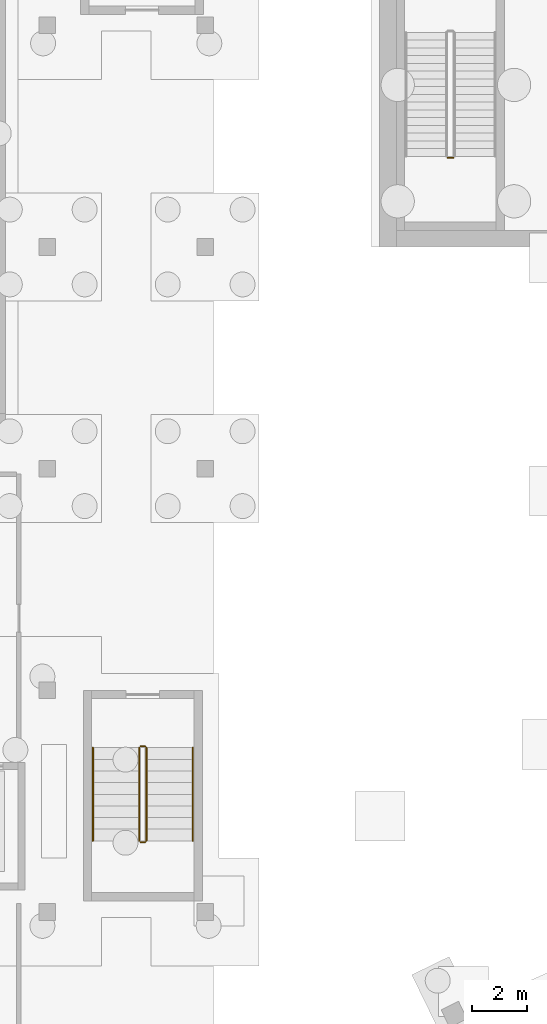
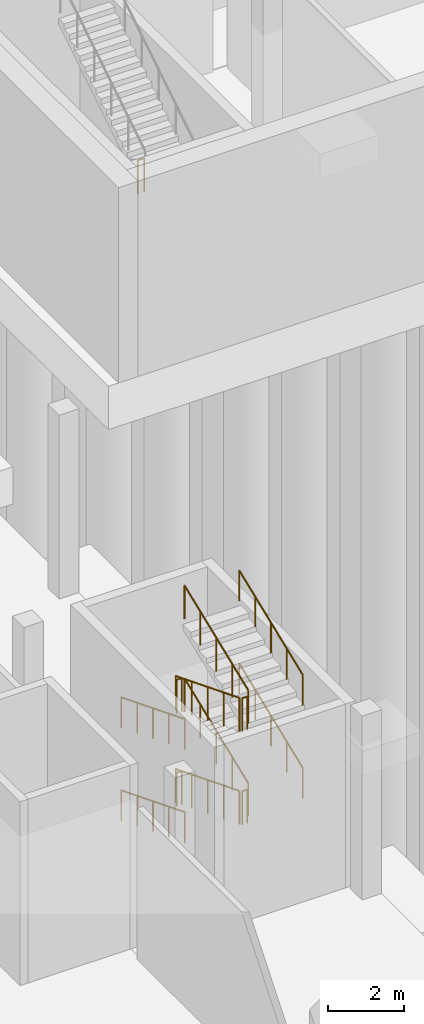
# One storey, part 45 of 66: 13 railings.
"""IFC4 building model written with IfcOpenShell, lengths in metres."""

import ifcopenshell
import ifcopenshell.guid

model = None  # the IFC model being written
_history = None  # IfcOwnerHistory: only IFC2X3 demands one
_inside = {}  # id of a spatial element -> (the spatial element, [elements in it])
_under = {}  # id of a project, library or spatial element -> (it, [spatial elements below it])
_declared = {}  # id of a project -> (the project, [libraries it declares])
_typed = {}  # id of a type object -> (the type object, [elements of that type])
_made_of = {}  # id of a material, layer set ... -> (it, [elements and type objects made of it])


def new_model(schema):
    """Start an empty IFC model of exactly this schema.

    Asked for "IFC4X3", IfcOpenShell would pick the latest addendum, in which some entities
    have other attributes; the version numbers below select the first issue.
    IFC2X3 requires an IfcOwnerHistory on every rooted entity: one is made here for all.
    """
    global model, _history
    if schema == "IFC4X3":
        model = ifcopenshell.file(schema_version=(4, 3, 0, 0))
    else:
        model = ifcopenshell.file(schema=schema)
    _inside.clear()
    _under.clear()
    _declared.clear()
    _typed.clear()
    _made_of.clear()
    _history = None
    if model.schema == "IFC2X3":
        org = make("IfcOrganization", Name="unknown")
        user = make(
            "IfcPersonAndOrganization",
            ThePerson=make("IfcPerson", FamilyName="unknown"),
            TheOrganization=org,
        )
        app = make(
            "IfcApplication",
            ApplicationDeveloper=org,
            Version="unknown",
            ApplicationFullName="unknown",
            ApplicationIdentifier="unknown",
        )
        _history = make(
            "IfcOwnerHistory",
            OwningUser=user,
            OwningApplication=app,
            ChangeAction="ADDED",
            CreationDate=0,
        )
    return model


def make(cls, **values):
    """One entity of the class cls with the attributes given. An attribute that is None is left unset."""
    return model.create_entity(
        cls, **{name: value for name, value in values.items() if value is not None}
    )


def rooted(cls, **values):
    """An entity with a GlobalId (a new one), such as an element, a storey or a relation."""
    return make(cls, GlobalId=ifcopenshell.guid.new(), OwnerHistory=_history, **values)


def si_unit(unit_type, name, prefix=None):
    """IfcSIUnit, for example si_unit("LENGTHUNIT", "METRE", prefix="MILLI")."""
    return make("IfcSIUnit", UnitType=unit_type, Prefix=prefix, Name=name)


def assignment(units):
    """IfcUnitAssignment: the units of a project."""
    return None if units is None else make("IfcUnitAssignment", Units=units)


def point(xyz):
    """IfcCartesianPoint."""
    return None if xyz is None else make("IfcCartesianPoint", Coordinates=xyz)


def direction(xyz):
    """IfcDirection."""
    return None if xyz is None else make("IfcDirection", DirectionRatios=xyz)


def frame(location, z_axis=None, x_axis=None):
    """IfcAxis2Placement3D, a coordinate frame: its origin and axes. An axis left out is left unset."""
    return make(
        "IfcAxis2Placement3D",
        Location=point(location),
        Axis=direction(z_axis),
        RefDirection=direction(x_axis),
    )


def frame_2d(location, x_axis=None):
    """IfcAxis2Placement2D, a coordinate frame in the plane: its origin and x axis."""
    return make(
        "IfcAxis2Placement2D", Location=point(location), RefDirection=direction(x_axis)
    )


def origin():
    """The frame at (0, 0, 0) with its axes left unset."""
    return frame((0.0, 0.0, 0.0))


def origin_2d():
    """The frame at (0, 0) in the plane with its x axis left unset."""
    return frame_2d((0.0, 0.0))


def place(relative_to, where):
    """IfcLocalPlacement: puts the frame where relative to a parent placement (None: the world)."""
    return make(
        "IfcLocalPlacement", PlacementRelTo=relative_to, RelativePlacement=where
    )


def context(
    kind, dimensions, precision=None, world=None, true_north=None, identifier=None
):
    """IfcGeometricRepresentationContext, for example the 3D "Model" context."""
    return make(
        "IfcGeometricRepresentationContext",
        ContextIdentifier=identifier,
        ContextType=kind,
        CoordinateSpaceDimension=dimensions,
        Precision=precision,
        WorldCoordinateSystem=world,
        TrueNorth=true_north,
    )


def subcontext(parent, identifier, kind, view, scale=None):
    """IfcGeometricRepresentationSubContext, for example "Body" below "Model"."""
    return make(
        "IfcGeometricRepresentationSubContext",
        ContextIdentifier=identifier,
        ContextType=kind,
        ParentContext=parent,
        TargetScale=scale,
        TargetView=view,
    )


def project(units=None, contexts=None):
    """IfcProject with its units and contexts."""
    return rooted(
        "IfcProject",
        Name="project",
        RepresentationContexts=contexts,
        UnitsInContext=assignment(units),
    )


def spatial(cls, under=None, at=None, **own):
    """A site, building, storey or space (cls), placed at a placement, below another one or the project."""
    s = rooted(cls, ObjectPlacement=at, **own)
    if under is not None:
        _under.setdefault(under.id(), (under, []))[1].append(s)
    return s


def profile(cls, at=None, kind="AREA", **sizes):
    """A parametric profile (cls). Its sizes go by their IFC names, for example OverallWidth=200.0."""
    return make(cls, ProfileType=kind, Position=at, **sizes)


def circle(**sizes):
    """IfcCircleProfileDef."""
    return profile("IfcCircleProfileDef", **sizes)


def extrude(swept, where, along, depth):
    """IfcExtrudedAreaSolid: the profile swept, set in the frame where, extruded along a direction by depth."""
    return make(
        "IfcExtrudedAreaSolid",
        SweptArea=swept,
        Position=where,
        ExtrudedDirection=direction(along),
        Depth=depth,
    )


def shape(context_of_items, identifier, shape_type, items):
    """IfcShapeRepresentation: the items that make up one representation, for example the "Body"."""
    return make(
        "IfcShapeRepresentation",
        ContextOfItems=context_of_items,
        RepresentationIdentifier=identifier,
        RepresentationType=shape_type,
        Items=items,
    )


def material(Name=None, Category=None):
    """IfcMaterial."""
    return make("IfcMaterial", Name=Name, Category=Category)


def made_of(thing, what):
    """Note that an element or type object is made of a material, layer set ...; save() writes the relation."""
    if what is not None:
        _made_of.setdefault(what.id(), (what, []))[1].append(thing)
    return thing


def type_object(cls, material=None, **own):
    """A type object (cls), such as IfcWallType, which elements share."""
    return made_of(rooted(cls, **own), material)


def element(
    cls,
    number,
    at=None,
    inside=None,
    cuts=None,
    type_object=None,
    material=None,
    context=None,
    identifier="Body",
    shape_type=None,
    held_by="IfcProductDefinitionShape",
    body=None,
    shapes=None,
    **own,
):
    """One element of the class cls, such as IfcWall. Its Tag is "e" and its number.

    at: its placement. inside: the storey or other place that contains it. cuts: it is an
    opening in that element (IfcRelVoidsElement). A single representation is given by context,
    identifier, shape_type and body (its items); several are given by shapes. held_by: the class
    of the entity that holds the representations. save() writes the other relations.
    """
    e = rooted(cls, Tag="e%d" % number, ObjectPlacement=at, **own)
    if body is not None:
        shapes = [shape(context, identifier, shape_type, body)]
    if shapes is not None:
        e.Representation = make(held_by, Representations=shapes)
    if inside is not None:
        _inside.setdefault(inside.id(), (inside, []))[1].append(e)
    if cuts is not None:
        rooted(
            "IfcRelVoidsElement", RelatingBuildingElement=cuts, RelatedOpeningElement=e
        )
    if type_object is not None:
        _typed.setdefault(type_object.id(), (type_object, []))[1].append(e)
    return made_of(e, material)


def aggregate(whole, parts):
    """IfcRelAggregates: a whole, such as a stair, and the parts it consists of."""
    return rooted("IfcRelAggregates", RelatingObject=whole, RelatedObjects=parts)


def save(model, path):
    """Write the relations noted so far, then the file.

    IfcRelAggregates (storeys below a building ...), IfcRelContainedInSpatialStructure (elements
    in a storey), IfcRelDefinesByType, IfcRelAssociatesMaterial and IfcRelDeclares: one each for
    every whole, place, type object, material and project.
    """
    for whole, parts in _under.values():
        aggregate(whole, parts)
    for where, things in _inside.values():
        rooted(
            "IfcRelContainedInSpatialStructure",
            RelatedElements=things,
            RelatingStructure=where,
        )
    for kind, things in _typed.values():
        rooted("IfcRelDefinesByType", RelatedObjects=things, RelatingType=kind)
    for what, things in _made_of.values():
        rooted("IfcRelAssociatesMaterial", RelatedObjects=things, RelatingMaterial=what)
    for by, libraries in _declared.values():
        rooted("IfcRelDeclares", RelatingContext=by, RelatedDefinitions=libraries)
    model.write(path)


model = new_model("IFC4")

# Units and contexts
model_context = context("Model", 3, precision=1e-05, world=origin(), true_north=direction((0.0, 1.0)))
body_context = subcontext(model_context, "Body", "Model", "MODEL_VIEW")
ifc_project = project(units=[si_unit("LENGTHUNIT", "METRE"), si_unit("AREAUNIT", "SQUARE_METRE"), si_unit("VOLUMEUNIT", "CUBIC_METRE"), si_unit("PLANEANGLEUNIT", "RADIAN"), si_unit("MASSUNIT", "GRAM", prefix="KILO")], contexts=[model_context])

# Site, building, storey
site_placement = place(None, origin())
site = spatial("IfcSite", under=ifc_project, at=site_placement, CompositionType="ELEMENT")
building_placement = place(site_placement, origin())
building = spatial("IfcBuilding", under=site, at=building_placement, Name="Lunette Opera House", CompositionType="ELEMENT")
storey_placement = place(building_placement, frame((0.0, 0.0, -6.0)))
storey = spatial("IfcBuildingStorey", under=building, at=storey_placement, Name="B1", CompositionType="ELEMENT", Elevation=-6.0)

# Railings
ifc_material_1 = material(Name="Steel S355", Category="steel")
railing_type_1 = type_object("IfcRailingType", Name="STAIR GUARD 1100", PredefinedType="GUARDRAIL", material=ifc_material_1)
railing_1_placement = place(storey_placement, frame((62.449951171875, 99.219970703125, 3.0)))
element("IfcRailing", 1, at=railing_1_placement, inside=storey, type_object=railing_type_1, Name="B1 ST13 stair guard 2", PredefinedType="GUARDRAIL", context=body_context, shape_type="SweptSolid", body=[
    extrude(circle(Radius=0.02392578125, at=origin_2d()), frame((0.0, 0.0, 1.076171875), z_axis=(1.0, 0.0, 0.0), x_axis=(0.0, 1.0, 0.0)), (0.0, 0.0, 1.0), 0.199951171875),
    extrude(circle(Radius=0.02099609375, at=origin_2d()), origin(), (0.0, 0.0, 1.0), 1.052001953125),
    extrude(circle(Radius=0.02099609375, at=origin_2d()), frame((0.199951171875, 0.0, 0.0)), (0.0, 0.0, 1.0), 1.052001953125),
])
railing_2_placement = place(storey_placement, frame((51.320068359375, 77.929931640625, 0.166748046875)))
element("IfcRailing", 2, at=railing_2_placement, inside=storey, type_object=railing_type_1, Name="B1 ST16 stair guard 1", PredefinedType="GUARDRAIL", context=body_context, shape_type="SweptSolid", body=[
    extrude(circle(Radius=0.02392578125, at=origin_2d()), frame((0.0, 0.0, 1.076171875), z_axis=(0.0, -0.929493283981, 0.368839036755), x_axis=(1.0, 0.0, 0.0)), (0.0, 0.0, 1.0), 3.61474609375),
    extrude(circle(Radius=0.02099609375, at=origin_2d()), origin(), (0.0, 0.0, 1.0), 1.052001953125),
    extrude(circle(Radius=0.02099609375, at=origin_2d()), frame((0.0, -0.83984375, 0.333251953125)), (0.0, 0.0, 1.0), 1.052001953125),
    extrude(circle(Radius=0.02099609375, at=origin_2d()), frame((0.0, -1.679931640625, 0.66650390625)), (0.0, 0.0, 1.0), 1.052001953125),
    extrude(circle(Radius=0.02099609375, at=origin_2d()), frame((0.0, -2.52001953125, 1.0)), (0.0, 0.0, 1.0), 1.052001953125),
    extrude(circle(Radius=0.02099609375, at=origin_2d()), frame((0.0, -3.35986328125, 1.333251953125)), (0.0, 0.0, 1.0), 1.052001953125),
])
railing_3_placement = place(storey_placement, frame((51.3701171875, 74.52001953125, 1.5)))
element("IfcRailing", 3, at=railing_3_placement, inside=storey, type_object=railing_type_1, Name="B1 ST16 stair guard 2", PredefinedType="GUARDRAIL", context=body_context, shape_type="SweptSolid", body=[
    extrude(circle(Radius=0.02392578125, at=origin_2d()), frame((0.0, 0.0, 1.076171875), z_axis=(1.0, 0.0, 0.0), x_axis=(0.0, 1.0, 0.0)), (0.0, 0.0, 1.0), 0.159912109375),
    extrude(circle(Radius=0.02099609375, at=origin_2d()), origin(), (0.0, 0.0, 1.0), 1.052001953125),
    extrude(circle(Radius=0.02099609375, at=origin_2d()), frame((0.159912109375, 0.0, 0.0)), (0.0, 0.0, 1.0), 1.052001953125),
])
railing_4_placement = place(storey_placement, frame((51.580078125, 74.570068359375, 1.666748046875)))
element("IfcRailing", 4, at=railing_4_placement, inside=storey, type_object=railing_type_1, Name="B1 ST16 stair guard 3", PredefinedType="GUARDRAIL", context=body_context, shape_type="SweptSolid", body=[
    extrude(circle(Radius=0.02392578125, at=origin_2d()), frame((0.0, 0.0, 1.076171875), z_axis=(0.0, 0.929493283981, 0.368839036755), x_axis=(-1.0, 0.0, 0.0)), (0.0, 0.0, 1.0), 3.61474609375),
    extrude(circle(Radius=0.02099609375, at=origin_2d()), origin(), (0.0, 0.0, 1.0), 1.052001953125),
    extrude(circle(Radius=0.02099609375, at=origin_2d()), frame((0.0, 0.83984375, 0.333251953125)), (0.0, 0.0, 1.0), 1.052001953125),
    extrude(circle(Radius=0.02099609375, at=origin_2d()), frame((0.0, 1.679931640625, 0.66650390625)), (0.0, 0.0, 1.0), 1.052001953125),
    extrude(circle(Radius=0.02099609375, at=origin_2d()), frame((0.0, 2.52001953125, 1.0)), (0.0, 0.0, 1.0), 1.052001953125),
    extrude(circle(Radius=0.02099609375, at=origin_2d()), frame((0.0, 3.35986328125, 1.333251953125)), (0.0, 0.0, 1.0), 1.052001953125),
])
railing_5_placement = place(storey_placement, frame((51.3701171875, 77.97998046875, 3.0)))
element("IfcRailing", 5, at=railing_5_placement, inside=storey, type_object=railing_type_1, Name="B1 ST16 stair guard 4", PredefinedType="GUARDRAIL", context=body_context, shape_type="SweptSolid", body=[
    extrude(circle(Radius=0.02392578125, at=origin_2d()), frame((0.0, 0.0, 1.076171875), z_axis=(1.0, 0.0, 0.0), x_axis=(0.0, 1.0, 0.0)), (0.0, 0.0, 1.0), 0.159912109375),
    extrude(circle(Radius=0.02099609375, at=origin_2d()), origin(), (0.0, 0.0, 1.0), 1.052001953125),
    extrude(circle(Radius=0.02099609375, at=origin_2d()), frame((0.159912109375, 0.0, 0.0)), (0.0, 0.0, 1.0), 1.052001953125),
])
railing_6_placement = place(storey_placement, frame((51.320068359375, 77.929931640625, 3.166748046875)))
element("IfcRailing", 6, at=railing_6_placement, inside=storey, type_object=railing_type_1, Name="B1 ST16 stair guard 5", PredefinedType="GUARDRAIL", context=body_context, shape_type="SweptSolid", body=[
    extrude(circle(Radius=0.02392578125, at=origin_2d()), frame((0.0, 0.0, 1.076171875), z_axis=(0.0, -0.929493283981, 0.368839036755), x_axis=(1.0, 0.0, 0.0)), (0.0, 0.0, 1.0), 3.61474609375),
    extrude(circle(Radius=0.02099609375, at=origin_2d()), origin(), (0.0, 0.0, 1.0), 1.052001953125),
    extrude(circle(Radius=0.02099609375, at=origin_2d()), frame((0.0, -0.83984375, 0.333251953125)), (0.0, 0.0, 1.0), 1.052001953125),
    extrude(circle(Radius=0.02099609375, at=origin_2d()), frame((0.0, -1.679931640625, 0.66650390625)), (0.0, 0.0, 1.0), 1.052001953125),
    extrude(circle(Radius=0.02099609375, at=origin_2d()), frame((0.0, -2.52001953125, 1.0)), (0.0, 0.0, 1.0), 1.052001953125),
    extrude(circle(Radius=0.02099609375, at=origin_2d()), frame((0.0, -3.35986328125, 1.333251953125)), (0.0, 0.0, 1.0), 1.052001953125),
])
railing_7_placement = place(storey_placement, frame((51.3701171875, 74.52001953125, 4.5)))
element("IfcRailing", 7, at=railing_7_placement, inside=storey, type_object=railing_type_1, Name="B1 ST16 stair guard 6", PredefinedType="GUARDRAIL", context=body_context, shape_type="SweptSolid", body=[
    extrude(circle(Radius=0.02392578125, at=origin_2d()), frame((0.0, 0.0, 1.076171875), z_axis=(1.0, 0.0, 0.0), x_axis=(0.0, 1.0, 0.0)), (0.0, 0.0, 1.0), 0.159912109375),
    extrude(circle(Radius=0.02099609375, at=origin_2d()), origin(), (0.0, 0.0, 1.0), 1.052001953125),
    extrude(circle(Radius=0.02099609375, at=origin_2d()), frame((0.159912109375, 0.0, 0.0)), (0.0, 0.0, 1.0), 1.052001953125),
])
railing_8_placement = place(storey_placement, frame((51.580078125, 74.570068359375, 4.666748046875)))
element("IfcRailing", 8, at=railing_8_placement, inside=storey, type_object=railing_type_1, Name="B1 ST16 stair guard 7", PredefinedType="GUARDRAIL", context=body_context, shape_type="SweptSolid", body=[
    extrude(circle(Radius=0.02392578125, at=origin_2d()), frame((0.0, 0.0, 1.076171875), z_axis=(0.0, 0.929493283981, 0.368839036755), x_axis=(-1.0, 0.0, 0.0)), (0.0, 0.0, 1.0), 3.61474609375),
    extrude(circle(Radius=0.02099609375, at=origin_2d()), origin(), (0.0, 0.0, 1.0), 1.052001953125),
    extrude(circle(Radius=0.02099609375, at=origin_2d()), frame((0.0, 0.83984375, 0.333251953125)), (0.0, 0.0, 1.0), 1.052001953125),
    extrude(circle(Radius=0.02099609375, at=origin_2d()), frame((0.0, 1.679931640625, 0.66650390625)), (0.0, 0.0, 1.0), 1.052001953125),
    extrude(circle(Radius=0.02099609375, at=origin_2d()), frame((0.0, 2.52001953125, 1.0)), (0.0, 0.0, 1.0), 1.052001953125),
    extrude(circle(Radius=0.02099609375, at=origin_2d()), frame((0.0, 3.35986328125, 1.333251953125)), (0.0, 0.0, 1.0), 1.052001953125),
])
railing_9_placement = place(storey_placement, frame((51.3701171875, 77.97998046875, 0.0)))
element("IfcRailing", 9, at=railing_9_placement, inside=storey, type_object=railing_type_1, Name="B1 ST16 stair guard 8", PredefinedType="GUARDRAIL", context=body_context, shape_type="SweptSolid", body=[
    extrude(circle(Radius=0.02392578125, at=origin_2d()), frame((0.0, 0.0, 1.076171875), z_axis=(1.0, 0.0, 0.0), x_axis=(0.0, 1.0, 0.0)), (0.0, 0.0, 1.0), 0.159912109375),
    extrude(circle(Radius=0.02099609375, at=origin_2d()), origin(), (0.0, 0.0, 1.0), 1.052001953125),
    extrude(circle(Radius=0.02099609375, at=origin_2d()), frame((0.159912109375, 0.0, 0.0)), (0.0, 0.0, 1.0), 1.052001953125),
])
ifc_material_2 = material(Name="Steel S355", Category="steel")
railing_type_2 = type_object("IfcRailingType", Name="STAIR HANDRAIL 1000", PredefinedType="HANDRAIL", material=ifc_material_2)
railing_10_placement = place(storey_placement, frame((49.64990234375, 77.929931640625, 0.166748046875)))
element("IfcRailing", 10, at=railing_10_placement, inside=storey, type_object=railing_type_2, Name="B1 ST16 stair handrail 1", PredefinedType="HANDRAIL", context=body_context, shape_type="SweptSolid", body=[
    extrude(circle(Radius=0.02392578125, at=origin_2d()), frame((0.0, 0.0, 0.97607421875), z_axis=(0.0, -0.929493283981, 0.368839036755), x_axis=(1.0, 0.0, 0.0)), (0.0, 0.0, 1.0), 3.61474609375),
    extrude(circle(Radius=0.02099609375, at=origin_2d()), origin(), (0.0, 0.0, 1.0), 0.951904296875),
    extrude(circle(Radius=0.02099609375, at=origin_2d()), frame((0.0, -0.83984375, 0.333251953125)), (0.0, 0.0, 1.0), 0.951904296875),
    extrude(circle(Radius=0.02099609375, at=origin_2d()), frame((0.0, -1.679931640625, 0.66650390625)), (0.0, 0.0, 1.0), 0.951904296875),
    extrude(circle(Radius=0.02099609375, at=origin_2d()), frame((0.0, -2.52001953125, 1.0)), (0.0, 0.0, 1.0), 0.951904296875),
    extrude(circle(Radius=0.02099609375, at=origin_2d()), frame((0.0, -3.35986328125, 1.333251953125)), (0.0, 0.0, 1.0), 0.951904296875),
])
railing_11_placement = place(storey_placement, frame((53.25, 74.570068359375, 1.666748046875)))
element("IfcRailing", 11, at=railing_11_placement, inside=storey, type_object=railing_type_2, Name="B1 ST16 stair handrail 2", PredefinedType="HANDRAIL", context=body_context, shape_type="SweptSolid", body=[
    extrude(circle(Radius=0.02392578125, at=origin_2d()), frame((0.0, 0.0, 0.97607421875), z_axis=(0.0, 0.929493283981, 0.368839036755), x_axis=(-1.0, 0.0, 0.0)), (0.0, 0.0, 1.0), 3.61474609375),
    extrude(circle(Radius=0.02099609375, at=origin_2d()), origin(), (0.0, 0.0, 1.0), 0.951904296875),
    extrude(circle(Radius=0.02099609375, at=origin_2d()), frame((0.0, 0.83984375, 0.333251953125)), (0.0, 0.0, 1.0), 0.951904296875),
    extrude(circle(Radius=0.02099609375, at=origin_2d()), frame((0.0, 1.679931640625, 0.66650390625)), (0.0, 0.0, 1.0), 0.951904296875),
    extrude(circle(Radius=0.02099609375, at=origin_2d()), frame((0.0, 2.52001953125, 1.0)), (0.0, 0.0, 1.0), 0.951904296875),
    extrude(circle(Radius=0.02099609375, at=origin_2d()), frame((0.0, 3.35986328125, 1.333251953125)), (0.0, 0.0, 1.0), 0.951904296875),
])
railing_12_placement = place(storey_placement, frame((49.64990234375, 77.929931640625, 3.166748046875)))
element("IfcRailing", 12, at=railing_12_placement, inside=storey, type_object=railing_type_2, Name="B1 ST16 stair handrail 3", PredefinedType="HANDRAIL", context=body_context, shape_type="SweptSolid", body=[
    extrude(circle(Radius=0.02392578125, at=origin_2d()), frame((0.0, 0.0, 0.97607421875), z_axis=(0.0, -0.929493283981, 0.368839036755), x_axis=(1.0, 0.0, 0.0)), (0.0, 0.0, 1.0), 3.61474609375),
    extrude(circle(Radius=0.02099609375, at=origin_2d()), origin(), (0.0, 0.0, 1.0), 0.951904296875),
    extrude(circle(Radius=0.02099609375, at=origin_2d()), frame((0.0, -0.83984375, 0.333251953125)), (0.0, 0.0, 1.0), 0.951904296875),
    extrude(circle(Radius=0.02099609375, at=origin_2d()), frame((0.0, -1.679931640625, 0.66650390625)), (0.0, 0.0, 1.0), 0.951904296875),
    extrude(circle(Radius=0.02099609375, at=origin_2d()), frame((0.0, -2.52001953125, 1.0)), (0.0, 0.0, 1.0), 0.951904296875),
    extrude(circle(Radius=0.02099609375, at=origin_2d()), frame((0.0, -3.35986328125, 1.333251953125)), (0.0, 0.0, 1.0), 0.951904296875),
])
railing_13_placement = place(storey_placement, frame((53.25, 74.570068359375, 4.666748046875)))
element("IfcRailing", 13, at=railing_13_placement, inside=storey, type_object=railing_type_2, Name="B1 ST16 stair handrail 4", PredefinedType="HANDRAIL", context=body_context, shape_type="SweptSolid", body=[
    extrude(circle(Radius=0.02392578125, at=origin_2d()), frame((0.0, 0.0, 0.97607421875), z_axis=(0.0, 0.929493283981, 0.368839036755), x_axis=(-1.0, 0.0, 0.0)), (0.0, 0.0, 1.0), 3.61474609375),
    extrude(circle(Radius=0.02099609375, at=origin_2d()), origin(), (0.0, 0.0, 1.0), 0.951904296875),
    extrude(circle(Radius=0.02099609375, at=origin_2d()), frame((0.0, 0.83984375, 0.333251953125)), (0.0, 0.0, 1.0), 0.951904296875),
    extrude(circle(Radius=0.02099609375, at=origin_2d()), frame((0.0, 1.679931640625, 0.66650390625)), (0.0, 0.0, 1.0), 0.951904296875),
    extrude(circle(Radius=0.02099609375, at=origin_2d()), frame((0.0, 2.52001953125, 1.0)), (0.0, 0.0, 1.0), 0.951904296875),
    extrude(circle(Radius=0.02099609375, at=origin_2d()), frame((0.0, 3.35986328125, 1.333251953125)), (0.0, 0.0, 1.0), 0.951904296875),
])

save(model, "model.ifc")
